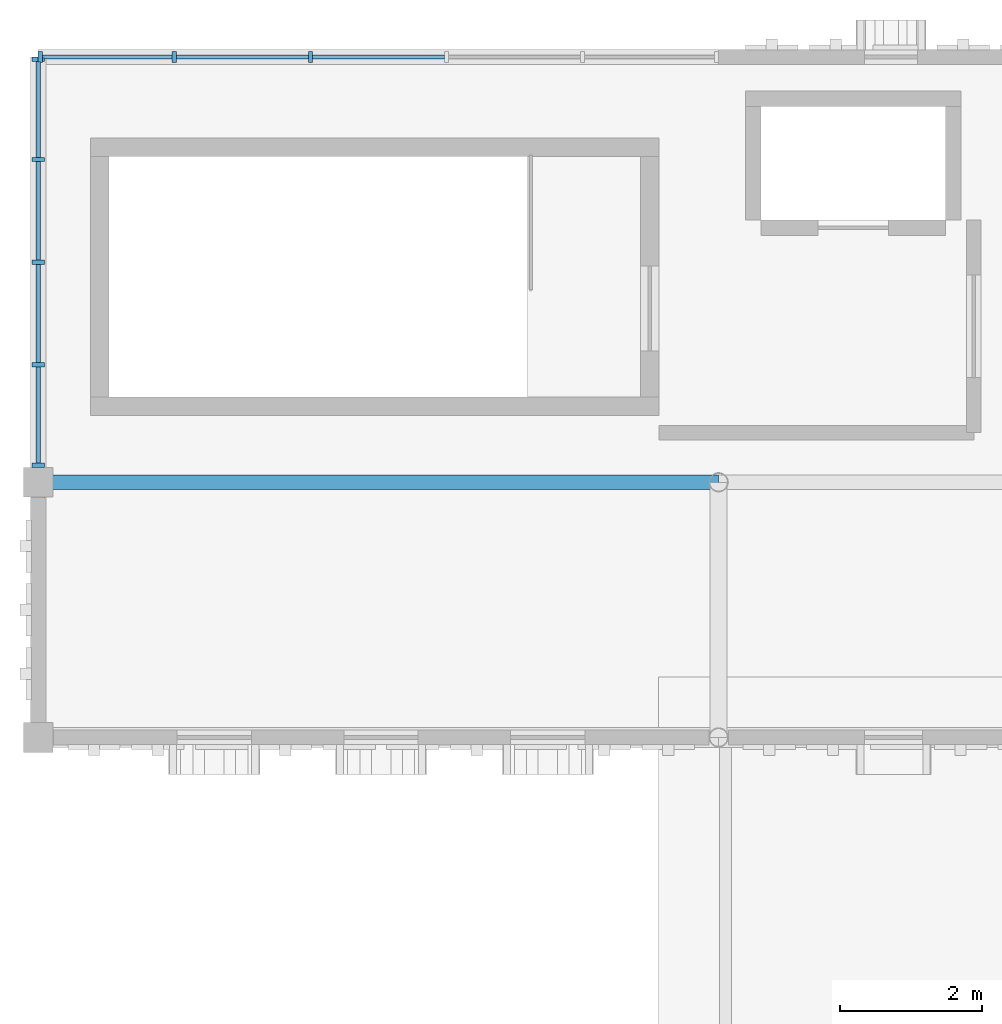
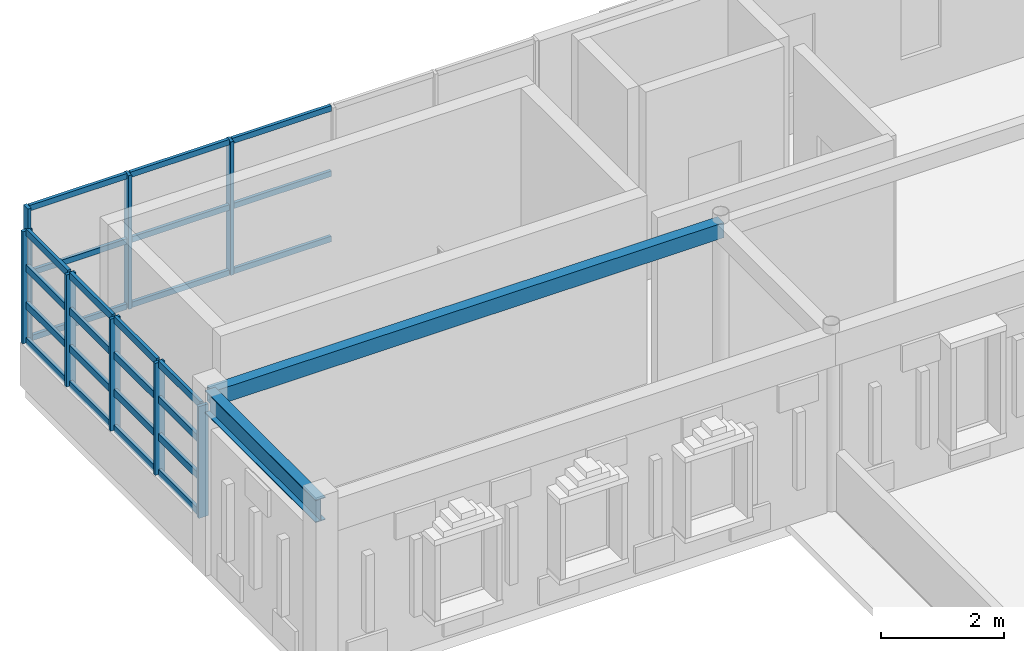
# One storey, part 8 of 25: 33 members, 2 beams, 2 elements without a shape of their own.
"""IFC4 building model written with IfcOpenShell, lengths in metres."""

from ifc_helpers import new_model, si_unit, direction, frame, origin, origin_2d, place, context, subcontext, project, spatial, rectangle, hollow_rectangle, i_section, extrude, material, material_profile, profile_set, type_object, element, aggregate, save


model = new_model("IFC4")

# Units and contexts
model_context = context("Model", 3, precision=1e-05, world=origin(), true_north=direction((0.0, 1.0)))
body_context = subcontext(model_context, "Body", "Model", "MODEL_VIEW")
ifc_project = project(units=[si_unit("LENGTHUNIT", "METRE"), si_unit("AREAUNIT", "SQUARE_METRE"), si_unit("VOLUMEUNIT", "CUBIC_METRE"), si_unit("PLANEANGLEUNIT", "RADIAN"), si_unit("MASSUNIT", "GRAM", prefix="KILO")], contexts=[model_context])

# Site, building, storey
site_placement = place(None, origin())
site = spatial("IfcSite", under=ifc_project, at=site_placement, CompositionType="ELEMENT")
building_placement = place(site_placement, origin())
building = spatial("IfcBuilding", under=site, at=building_placement, Name="Nzembalo Square Collegiate School", CompositionType="ELEMENT")
storey_placement = place(building_placement, frame((0.0, 0.0, 21.080078125)))
storey = spatial("IfcBuildingStorey", under=building, at=storey_placement, Name="L05", CompositionType="ELEMENT", Elevation=21.080078125)

# Beams
ifc_material_1 = material(Name="Steel S355", Category="steel")
ifc_material_profile_1 = material_profile(ifc_material_1, i_section(OverallWidth=0.18994140625, OverallDepth=0.449951171875, WebThickness=0.009521484375, FlangeThickness=0.0146484375, at=origin_2d()), Name="IPE 450")
ifc_profile_set_1 = profile_set([ifc_material_profile_1], Name="Steel S355")
beam_type_1 = type_object("IfcBeamType", Name="B09", PredefinedType="BEAM", material=ifc_profile_set_1)
beam_1_placement = place(storey_placement, frame((130.800048828125, 79.199951171875, 3.304931640625), z_axis=(0.0, 1.0, 0.0), x_axis=(-1.0, 0.0, 0.0)))
element("IfcBeam", 1, at=beam_1_placement, inside=storey, type_object=beam_type_1, Name="Beam B09 L05", PredefinedType="BEAM", context=body_context, shape_type="SweptSolid", body=[
    extrude(i_section(OverallWidth=0.18994140625, OverallDepth=0.449951171875, WebThickness=0.009521484375, FlangeThickness=0.0146484375, at=origin_2d()), origin(), (0.0, 0.0, 1.0), 3.60009765625),
])
ifc_material_2 = material(Name="Steel S355", Category="steel")
ifc_material_profile_2 = material_profile(ifc_material_2, hollow_rectangle(XDim=0.199951171875, YDim=0.300048828125, WallThickness=0.011962890625, at=origin_2d()), Name="RHS 300x200x12")
ifc_profile_set_2 = profile_set([ifc_material_profile_2], Name="Steel S355")
beam_type_2 = type_object("IfcBeamType", Name="SP03", PredefinedType="SPANDREL", material=ifc_profile_set_2)
beam_2_placement = place(storey_placement, frame((130.800048828125, 82.800048828125, 3.3798828125), z_axis=(1.0, 0.0, 0.0), x_axis=(0.0, 1.0, 0.0)))
element("IfcBeam", 2, at=beam_2_placement, inside=storey, type_object=beam_type_2, Name="Beam SP03 L05", PredefinedType="SPANDREL", context=body_context, shape_type="SweptSolid", body=[
    extrude(hollow_rectangle(XDim=0.199951171875, YDim=0.300048828125, WallThickness=0.011962890625, at=origin_2d()), origin(), (0.0, 0.0, 1.0), 9.599853515625),
])

# Curtain wall, members
ifc_material_3 = material(Name="Aluminium 6060-T66", Category="aluminium")
curtain_wall_type_1 = type_object("IfcCurtainWallType", Name="CW-02", PredefinedType="USERDEFINED", material=ifc_material_3)
curtain_wall_1_placement = place(storey_placement, origin())
curtain_wall_1 = element("IfcCurtainWall", 3, at=curtain_wall_1_placement, inside=storey, type_object=curtain_wall_type_1, Name="Curtain wall CW-02 cw:L05:161", ObjectType="UNITISED", PredefinedType="USERDEFINED")
ifc_material_4 = material(Name="Aluminium 6060-T66", Category="aluminium")
ifc_material_profile_3 = material_profile(ifc_material_4, rectangle(XDim=0.06005859375, YDim=0.179931640625, at=origin_2d()), Name="ALU M60x180")
ifc_profile_set_3 = profile_set([ifc_material_profile_3], Name="Aluminium 6060-T66")
member_type_1 = type_object("IfcMemberType", Name="ML01", PredefinedType="MULLION", material=ifc_profile_set_3)
member_1_placement = place(storey_placement, frame((130.800048828125, 83.0419921875, 0.849853515625), z_axis=(0.0, 0.0, 1.0), x_axis=(0.0, 1.0, 0.0)))
member_1 = element("IfcMember", 4, at=member_1_placement, type_object=member_type_1, Name="ML01 mullion 1", PredefinedType="MULLION", context=body_context, shape_type="SweptSolid", body=[
    extrude(rectangle(XDim=0.06005859375, YDim=0.179931640625, at=origin_2d()), origin(), (0.0, 0.0, 1.0), 2.22412109375),
])
member_2_placement = place(storey_placement, frame((130.800048828125, 84.458984375, 0.849853515625), z_axis=(0.0, 0.0, 1.0), x_axis=(0.0, 1.0, 0.0)))
member_2 = element("IfcMember", 5, at=member_2_placement, type_object=member_type_1, Name="ML01 mullion 2", PredefinedType="MULLION", context=body_context, shape_type="SweptSolid", body=[
    extrude(rectangle(XDim=0.06005859375, YDim=0.179931640625, at=origin_2d()), origin(), (0.0, 0.0, 1.0), 2.22412109375),
])
member_3_placement = place(storey_placement, frame((130.800048828125, 85.906005859375, 0.849853515625), z_axis=(0.0, 0.0, 1.0), x_axis=(0.0, 1.0, 0.0)))
member_3 = element("IfcMember", 6, at=member_3_placement, type_object=member_type_1, Name="ML01 mullion 3", PredefinedType="MULLION", context=body_context, shape_type="SweptSolid", body=[
    extrude(rectangle(XDim=0.06005859375, YDim=0.179931640625, at=origin_2d()), origin(), (0.0, 0.0, 1.0), 2.22412109375),
])
member_4_placement = place(storey_placement, frame((130.800048828125, 87.35302734375, 0.849853515625), z_axis=(0.0, 0.0, 1.0), x_axis=(0.0, 1.0, 0.0)))
member_4 = element("IfcMember", 7, at=member_4_placement, type_object=member_type_1, Name="ML01 mullion 4", PredefinedType="MULLION", context=body_context, shape_type="SweptSolid", body=[
    extrude(rectangle(XDim=0.06005859375, YDim=0.179931640625, at=origin_2d()), origin(), (0.0, 0.0, 1.0), 2.22412109375),
])
member_5_placement = place(storey_placement, frame((130.800048828125, 88.77001953125, 0.849853515625), z_axis=(0.0, 0.0, 1.0), x_axis=(0.0, 1.0, 0.0)))
member_5 = element("IfcMember", 8, at=member_5_placement, type_object=member_type_1, Name="ML01 mullion 5", PredefinedType="MULLION", context=body_context, shape_type="SweptSolid", body=[
    extrude(rectangle(XDim=0.06005859375, YDim=0.179931640625, at=origin_2d()), origin(), (0.0, 0.0, 1.0), 2.22412109375),
])

ifc_material_5 = material(Name="Aluminium 6060-T66", Category="aluminium")
curtain_wall_type_2 = type_object("IfcCurtainWallType", Name="CW-11", PredefinedType="USERDEFINED", material=ifc_material_5)
curtain_wall_2_placement = place(storey_placement, origin())
curtain_wall_2 = element("IfcCurtainWall", 9, at=curtain_wall_2_placement, inside=storey, type_object=curtain_wall_type_2, Name="Curtain wall CW-11 cw:L05:162", ObjectType="LANCET", PredefinedType="USERDEFINED")
ifc_material_6 = material(Name="Aluminium 6060-T66", Category="aluminium")
ifc_material_profile_4 = material_profile(ifc_material_6, rectangle(XDim=0.06005859375, YDim=0.14990234375, at=origin_2d()), Name="ALU M60x150")
ifc_profile_set_4 = profile_set([ifc_material_profile_4], Name="Aluminium 6060-T66")
member_type_2 = type_object("IfcMemberType", Name="ML02", PredefinedType="MULLION", material=ifc_profile_set_4)
member_6_placement = place(storey_placement, frame((130.830078125, 88.800048828125, 0.849853515625), z_axis=(0.0, 0.0, 1.0), x_axis=(1.0, 0.0, 0.0)))
member_6 = element("IfcMember", 10, at=member_6_placement, type_object=member_type_2, Name="ML02 mullion 1", PredefinedType="MULLION", context=body_context, shape_type="SweptSolid", body=[
    extrude(rectangle(XDim=0.06005859375, YDim=0.14990234375, at=origin_2d()), origin(), (0.0, 0.0, 1.0), 2.654052734375),
])
member_7_placement = place(storey_placement, frame((132.719970703125, 88.800048828125, 0.849853515625), z_axis=(0.0, 0.0, 1.0), x_axis=(1.0, 0.0, 0.0)))
member_7 = element("IfcMember", 11, at=member_7_placement, type_object=member_type_2, Name="ML02 mullion 2", PredefinedType="MULLION", context=body_context, shape_type="SweptSolid", body=[
    extrude(rectangle(XDim=0.06005859375, YDim=0.14990234375, at=origin_2d()), origin(), (0.0, 0.0, 1.0), 2.654052734375),
])
member_8_placement = place(storey_placement, frame((134.639892578125, 88.800048828125, 0.849853515625), z_axis=(0.0, 0.0, 1.0), x_axis=(1.0, 0.0, 0.0)))
member_8 = element("IfcMember", 12, at=member_8_placement, type_object=member_type_2, Name="ML02 mullion 3", PredefinedType="MULLION", context=body_context, shape_type="SweptSolid", body=[
    extrude(rectangle(XDim=0.06005859375, YDim=0.14990234375, at=origin_2d()), origin(), (0.0, 0.0, 1.0), 2.654052734375),
])

# Member
ifc_material_7 = material(Name="Aluminium 6060-T66", Category="aluminium")
ifc_material_profile_5 = material_profile(ifc_material_7, rectangle(XDim=0.06005859375, YDim=0.139892578125, at=origin_2d()), Name="ALU T60x140")
ifc_profile_set_5 = profile_set([ifc_material_profile_5], Name="Aluminium 6060-T66")
member_type_3 = type_object("IfcMemberType", Name="TR01", PredefinedType="USERDEFINED", material=ifc_profile_set_5)
member_9_placement = place(storey_placement, frame((130.800048828125, 83.072021484375, 0.8798828125), z_axis=(0.0, 1.0, 0.0), x_axis=(-1.0, 0.0, 0.0)))
member_9 = element("IfcMember", 13, at=member_9_placement, type_object=member_type_3, Name="TR01 transom 1-1", ObjectType="TRANSOM", PredefinedType="USERDEFINED", context=body_context, shape_type="SweptSolid", body=[
    extrude(rectangle(XDim=0.06005859375, YDim=0.139892578125, at=origin_2d()), origin(), (0.0, 0.0, 1.0), 1.35693359375),
])

member_10_placement = place(storey_placement, frame((130.800048828125, 84.489013671875, 0.8798828125), z_axis=(0.0, 1.0, 0.0), x_axis=(-1.0, 0.0, 0.0)))
member_10 = element("IfcMember", 14, at=member_10_placement, type_object=member_type_3, Name="TR01 transom 1-2", ObjectType="TRANSOM", PredefinedType="USERDEFINED", context=body_context, shape_type="SweptSolid", body=[
    extrude(rectangle(XDim=0.06005859375, YDim=0.139892578125, at=origin_2d()), origin(), (0.0, 0.0, 1.0), 1.386962890625),
])

member_11_placement = place(storey_placement, frame((130.800048828125, 85.93603515625, 0.8798828125), z_axis=(0.0, 1.0, 0.0), x_axis=(-1.0, 0.0, 0.0)))
member_11 = element("IfcMember", 15, at=member_11_placement, type_object=member_type_3, Name="TR01 transom 1-3", ObjectType="TRANSOM", PredefinedType="USERDEFINED", context=body_context, shape_type="SweptSolid", body=[
    extrude(rectangle(XDim=0.06005859375, YDim=0.139892578125, at=origin_2d()), origin(), (0.0, 0.0, 1.0), 1.386962890625),
])

member_12_placement = place(storey_placement, frame((130.800048828125, 87.383056640625, 0.8798828125), z_axis=(0.0, 1.0, 0.0), x_axis=(-1.0, 0.0, 0.0)))
member_12 = element("IfcMember", 16, at=member_12_placement, type_object=member_type_3, Name="TR01 transom 1-4", ObjectType="TRANSOM", PredefinedType="USERDEFINED", context=body_context, shape_type="SweptSolid", body=[
    extrude(rectangle(XDim=0.06005859375, YDim=0.139892578125, at=origin_2d()), origin(), (0.0, 0.0, 1.0), 1.35693359375),
])

member_13_placement = place(storey_placement, frame((130.800048828125, 83.072021484375, 1.59130859375), z_axis=(0.0, 1.0, 0.0), x_axis=(-1.0, 0.0, 0.0)))
member_13 = element("IfcMember", 17, at=member_13_placement, type_object=member_type_3, Name="TR01 transom 2-1", ObjectType="TRANSOM", PredefinedType="USERDEFINED", context=body_context, shape_type="SweptSolid", body=[
    extrude(rectangle(XDim=0.06005859375, YDim=0.139892578125, at=origin_2d()), origin(), (0.0, 0.0, 1.0), 1.35693359375),
])

member_14_placement = place(storey_placement, frame((130.800048828125, 84.489013671875, 1.59130859375), z_axis=(0.0, 1.0, 0.0), x_axis=(-1.0, 0.0, 0.0)))
member_14 = element("IfcMember", 18, at=member_14_placement, type_object=member_type_3, Name="TR01 transom 2-2", ObjectType="TRANSOM", PredefinedType="USERDEFINED", context=body_context, shape_type="SweptSolid", body=[
    extrude(rectangle(XDim=0.06005859375, YDim=0.139892578125, at=origin_2d()), origin(), (0.0, 0.0, 1.0), 1.386962890625),
])

member_15_placement = place(storey_placement, frame((130.800048828125, 85.93603515625, 1.59130859375), z_axis=(0.0, 1.0, 0.0), x_axis=(-1.0, 0.0, 0.0)))
member_15 = element("IfcMember", 19, at=member_15_placement, type_object=member_type_3, Name="TR01 transom 2-3", ObjectType="TRANSOM", PredefinedType="USERDEFINED", context=body_context, shape_type="SweptSolid", body=[
    extrude(rectangle(XDim=0.06005859375, YDim=0.139892578125, at=origin_2d()), origin(), (0.0, 0.0, 1.0), 1.386962890625),
])

member_16_placement = place(storey_placement, frame((130.800048828125, 87.383056640625, 1.59130859375), z_axis=(0.0, 1.0, 0.0), x_axis=(-1.0, 0.0, 0.0)))
member_16 = element("IfcMember", 20, at=member_16_placement, type_object=member_type_3, Name="TR01 transom 2-4", ObjectType="TRANSOM", PredefinedType="USERDEFINED", context=body_context, shape_type="SweptSolid", body=[
    extrude(rectangle(XDim=0.06005859375, YDim=0.139892578125, at=origin_2d()), origin(), (0.0, 0.0, 1.0), 1.35693359375),
])

member_17_placement = place(storey_placement, frame((130.800048828125, 83.072021484375, 2.33251953125), z_axis=(0.0, 1.0, 0.0), x_axis=(-1.0, 0.0, 0.0)))
member_17 = element("IfcMember", 21, at=member_17_placement, type_object=member_type_3, Name="TR01 transom 3-1", ObjectType="TRANSOM", PredefinedType="USERDEFINED", context=body_context, shape_type="SweptSolid", body=[
    extrude(rectangle(XDim=0.06005859375, YDim=0.139892578125, at=origin_2d()), origin(), (0.0, 0.0, 1.0), 1.35693359375),
])

member_18_placement = place(storey_placement, frame((130.800048828125, 84.489013671875, 2.33251953125), z_axis=(0.0, 1.0, 0.0), x_axis=(-1.0, 0.0, 0.0)))
member_18 = element("IfcMember", 22, at=member_18_placement, type_object=member_type_3, Name="TR01 transom 3-2", ObjectType="TRANSOM", PredefinedType="USERDEFINED", context=body_context, shape_type="SweptSolid", body=[
    extrude(rectangle(XDim=0.06005859375, YDim=0.139892578125, at=origin_2d()), origin(), (0.0, 0.0, 1.0), 1.386962890625),
])

member_19_placement = place(storey_placement, frame((130.800048828125, 85.93603515625, 2.33251953125), z_axis=(0.0, 1.0, 0.0), x_axis=(-1.0, 0.0, 0.0)))
member_19 = element("IfcMember", 23, at=member_19_placement, type_object=member_type_3, Name="TR01 transom 3-3", ObjectType="TRANSOM", PredefinedType="USERDEFINED", context=body_context, shape_type="SweptSolid", body=[
    extrude(rectangle(XDim=0.06005859375, YDim=0.139892578125, at=origin_2d()), origin(), (0.0, 0.0, 1.0), 1.386962890625),
])

member_20_placement = place(storey_placement, frame((130.800048828125, 87.383056640625, 2.33251953125), z_axis=(0.0, 1.0, 0.0), x_axis=(-1.0, 0.0, 0.0)))
member_20 = element("IfcMember", 24, at=member_20_placement, type_object=member_type_3, Name="TR01 transom 3-4", ObjectType="TRANSOM", PredefinedType="USERDEFINED", context=body_context, shape_type="SweptSolid", body=[
    extrude(rectangle(XDim=0.06005859375, YDim=0.139892578125, at=origin_2d()), origin(), (0.0, 0.0, 1.0), 1.35693359375),
])

member_21_placement = place(storey_placement, frame((130.800048828125, 83.072021484375, 3.0439453125), z_axis=(0.0, 1.0, 0.0), x_axis=(-1.0, 0.0, 0.0)))
member_21 = element("IfcMember", 25, at=member_21_placement, type_object=member_type_3, Name="TR01 transom 4-1", ObjectType="TRANSOM", PredefinedType="USERDEFINED", context=body_context, shape_type="SweptSolid", body=[
    extrude(rectangle(XDim=0.06005859375, YDim=0.139892578125, at=origin_2d()), origin(), (0.0, 0.0, 1.0), 1.35693359375),
])

member_22_placement = place(storey_placement, frame((130.800048828125, 84.489013671875, 3.0439453125), z_axis=(0.0, 1.0, 0.0), x_axis=(-1.0, 0.0, 0.0)))
member_22 = element("IfcMember", 26, at=member_22_placement, type_object=member_type_3, Name="TR01 transom 4-2", ObjectType="TRANSOM", PredefinedType="USERDEFINED", context=body_context, shape_type="SweptSolid", body=[
    extrude(rectangle(XDim=0.06005859375, YDim=0.139892578125, at=origin_2d()), origin(), (0.0, 0.0, 1.0), 1.386962890625),
])

member_23_placement = place(storey_placement, frame((130.800048828125, 85.93603515625, 3.0439453125), z_axis=(0.0, 1.0, 0.0), x_axis=(-1.0, 0.0, 0.0)))
member_23 = element("IfcMember", 27, at=member_23_placement, type_object=member_type_3, Name="TR01 transom 4-3", ObjectType="TRANSOM", PredefinedType="USERDEFINED", context=body_context, shape_type="SweptSolid", body=[
    extrude(rectangle(XDim=0.06005859375, YDim=0.139892578125, at=origin_2d()), origin(), (0.0, 0.0, 1.0), 1.386962890625),
])

member_24_placement = place(storey_placement, frame((130.800048828125, 87.383056640625, 3.0439453125), z_axis=(0.0, 1.0, 0.0), x_axis=(-1.0, 0.0, 0.0)))
member_24 = element("IfcMember", 28, at=member_24_placement, type_object=member_type_3, Name="TR01 transom 4-4", ObjectType="TRANSOM", PredefinedType="USERDEFINED", context=body_context, shape_type="SweptSolid", body=[
    extrude(rectangle(XDim=0.06005859375, YDim=0.139892578125, at=origin_2d()), origin(), (0.0, 0.0, 1.0), 1.35693359375),
])

aggregate(curtain_wall_1, [member_1, member_2, member_3, member_4, member_5, member_9, member_10, member_11, member_12, member_13, member_14, member_15, member_16, member_17, member_18, member_19, member_20, member_21, member_22, member_23, member_24])

ifc_material_8 = material(Name="Aluminium 6060-T66", Category="aluminium")
ifc_material_profile_6 = material_profile(ifc_material_8, rectangle(XDim=0.06005859375, YDim=0.110107421875, at=origin_2d()), Name="ALU T60x110")
ifc_profile_set_6 = profile_set([ifc_material_profile_6], Name="Aluminium 6060-T66")
member_type_4 = type_object("IfcMemberType", Name="TR02", PredefinedType="USERDEFINED", material=ifc_profile_set_6)
member_25_placement = place(storey_placement, frame((130.860107421875, 88.800048828125, 0.8798828125), z_axis=(1.0, 0.0, 0.0), x_axis=(0.0, 1.0, 0.0)))
member_25 = element("IfcMember", 29, at=member_25_placement, type_object=member_type_4, Name="TR02 transom 1-1", ObjectType="TRANSOM", PredefinedType="USERDEFINED", context=body_context, shape_type="SweptSolid", body=[
    extrude(rectangle(XDim=0.06005859375, YDim=0.110107421875, at=origin_2d()), origin(), (0.0, 0.0, 1.0), 1.829833984375),
])

member_26_placement = place(storey_placement, frame((132.75, 88.800048828125, 0.8798828125), z_axis=(1.0, 0.0, 0.0), x_axis=(0.0, 1.0, 0.0)))
member_26 = element("IfcMember", 30, at=member_26_placement, type_object=member_type_4, Name="TR02 transom 1-2", ObjectType="TRANSOM", PredefinedType="USERDEFINED", context=body_context, shape_type="SweptSolid", body=[
    extrude(rectangle(XDim=0.06005859375, YDim=0.110107421875, at=origin_2d()), origin(), (0.0, 0.0, 1.0), 1.860107421875),
])

member_27_placement = place(storey_placement, frame((134.669921875, 88.800048828125, 0.8798828125), z_axis=(1.0, 0.0, 0.0), x_axis=(0.0, 1.0, 0.0)))
member_27 = element("IfcMember", 31, at=member_27_placement, type_object=member_type_4, Name="TR02 transom 1-3", ObjectType="TRANSOM", PredefinedType="USERDEFINED", context=body_context, shape_type="SweptSolid", body=[
    extrude(rectangle(XDim=0.06005859375, YDim=0.110107421875, at=origin_2d()), origin(), (0.0, 0.0, 1.0), 1.860107421875),
])

member_28_placement = place(storey_placement, frame((130.860107421875, 88.800048828125, 2.177001953125), z_axis=(1.0, 0.0, 0.0), x_axis=(0.0, 1.0, 0.0)))
member_28 = element("IfcMember", 32, at=member_28_placement, type_object=member_type_4, Name="TR02 transom 2-1", ObjectType="TRANSOM", PredefinedType="USERDEFINED", context=body_context, shape_type="SweptSolid", body=[
    extrude(rectangle(XDim=0.06005859375, YDim=0.110107421875, at=origin_2d()), origin(), (0.0, 0.0, 1.0), 1.829833984375),
])

member_29_placement = place(storey_placement, frame((132.75, 88.800048828125, 2.177001953125), z_axis=(1.0, 0.0, 0.0), x_axis=(0.0, 1.0, 0.0)))
member_29 = element("IfcMember", 33, at=member_29_placement, type_object=member_type_4, Name="TR02 transom 2-2", ObjectType="TRANSOM", PredefinedType="USERDEFINED", context=body_context, shape_type="SweptSolid", body=[
    extrude(rectangle(XDim=0.06005859375, YDim=0.110107421875, at=origin_2d()), origin(), (0.0, 0.0, 1.0), 1.860107421875),
])

member_30_placement = place(storey_placement, frame((134.669921875, 88.800048828125, 2.177001953125), z_axis=(1.0, 0.0, 0.0), x_axis=(0.0, 1.0, 0.0)))
member_30 = element("IfcMember", 34, at=member_30_placement, type_object=member_type_4, Name="TR02 transom 2-3", ObjectType="TRANSOM", PredefinedType="USERDEFINED", context=body_context, shape_type="SweptSolid", body=[
    extrude(rectangle(XDim=0.06005859375, YDim=0.110107421875, at=origin_2d()), origin(), (0.0, 0.0, 1.0), 1.860107421875),
])

member_31_placement = place(storey_placement, frame((130.860107421875, 88.800048828125, 3.473876953125), z_axis=(1.0, 0.0, 0.0), x_axis=(0.0, 1.0, 0.0)))
member_31 = element("IfcMember", 35, at=member_31_placement, type_object=member_type_4, Name="TR02 transom 3-1", ObjectType="TRANSOM", PredefinedType="USERDEFINED", context=body_context, shape_type="SweptSolid", body=[
    extrude(rectangle(XDim=0.06005859375, YDim=0.110107421875, at=origin_2d()), origin(), (0.0, 0.0, 1.0), 1.829833984375),
])

member_32_placement = place(storey_placement, frame((132.75, 88.800048828125, 3.473876953125), z_axis=(1.0, 0.0, 0.0), x_axis=(0.0, 1.0, 0.0)))
member_32 = element("IfcMember", 36, at=member_32_placement, type_object=member_type_4, Name="TR02 transom 3-2", ObjectType="TRANSOM", PredefinedType="USERDEFINED", context=body_context, shape_type="SweptSolid", body=[
    extrude(rectangle(XDim=0.06005859375, YDim=0.110107421875, at=origin_2d()), origin(), (0.0, 0.0, 1.0), 1.860107421875),
])

member_33_placement = place(storey_placement, frame((134.669921875, 88.800048828125, 3.473876953125), z_axis=(1.0, 0.0, 0.0), x_axis=(0.0, 1.0, 0.0)))
member_33 = element("IfcMember", 37, at=member_33_placement, type_object=member_type_4, Name="TR02 transom 3-3", ObjectType="TRANSOM", PredefinedType="USERDEFINED", context=body_context, shape_type="SweptSolid", body=[
    extrude(rectangle(XDim=0.06005859375, YDim=0.110107421875, at=origin_2d()), origin(), (0.0, 0.0, 1.0), 1.860107421875),
])

aggregate(curtain_wall_2, [member_6, member_7, member_8, member_25, member_26, member_27, member_28, member_29, member_30, member_31, member_32, member_33])

save(model, "model.ifc")
